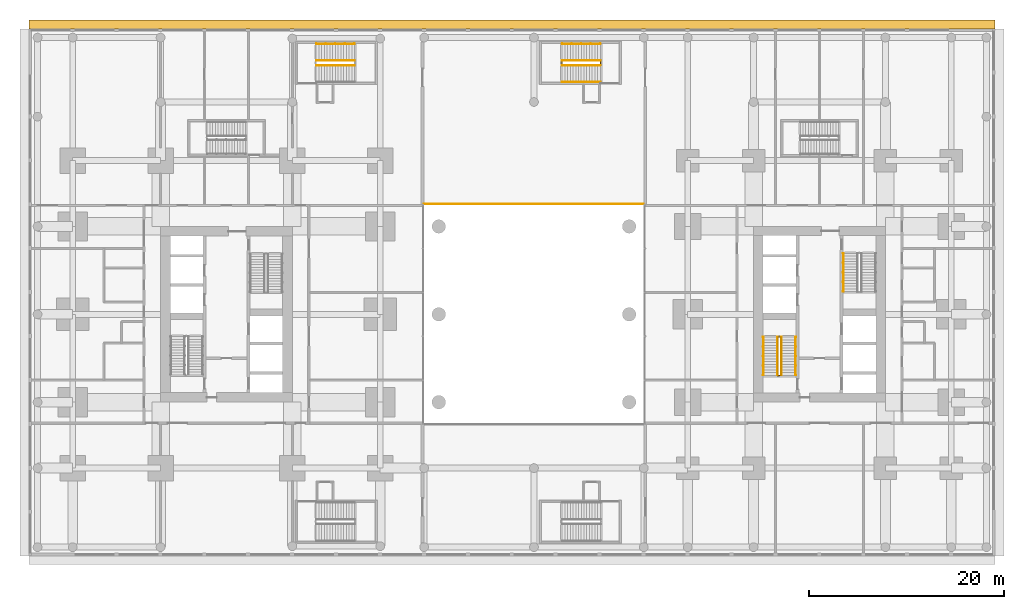
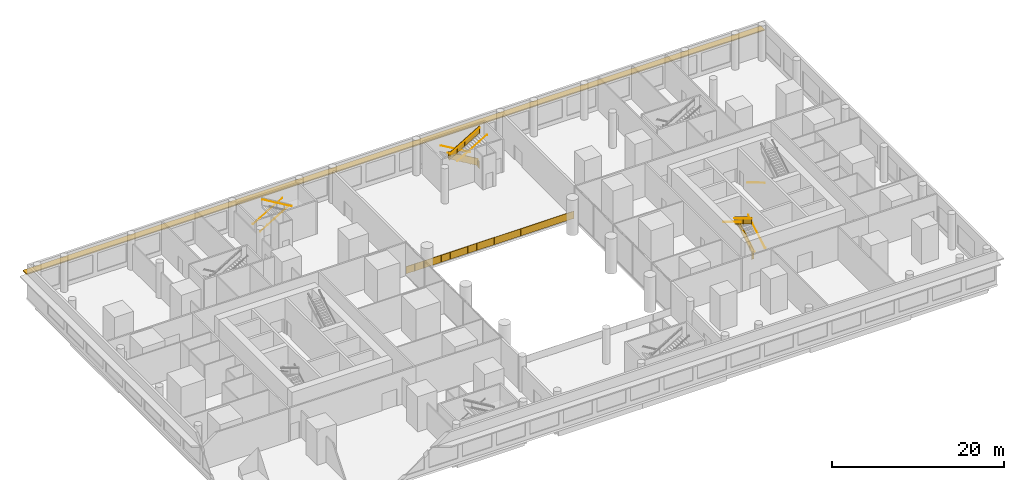
# One storey, part 20 of 21: 15 railings, 1 shading device.
"""IFC4 building model written with IfcOpenShell, lengths in metres."""

from ifc_helpers import new_model, si_unit, direction, frame, origin, origin_2d, place, context, subcontext, project, spatial, polyline, rectangle, circle, outline, extrude, material, layer, layer_set, type_object, element, save


model = new_model("IFC4")

# Units and contexts
model_context = context("Model", 3, precision=1e-05, world=origin(), true_north=direction((0.0, 1.0)))
body_context = subcontext(model_context, "Body", "Model", "MODEL_VIEW")
ifc_project = project(units=[si_unit("LENGTHUNIT", "METRE"), si_unit("AREAUNIT", "SQUARE_METRE"), si_unit("VOLUMEUNIT", "CUBIC_METRE"), si_unit("PLANEANGLEUNIT", "RADIAN"), si_unit("MASSUNIT", "GRAM", prefix="KILO")], contexts=[model_context])

# Site, building, storey
site_placement = place(None, origin())
site = spatial("IfcSite", under=ifc_project, at=site_placement, CompositionType="ELEMENT")
building_placement = place(site_placement, origin())
building = spatial("IfcBuilding", under=site, at=building_placement, Name="Namib Vertical Campus", CompositionType="ELEMENT")
storey_placement = place(building_placement, frame((0.0, 0.0, 6.0)))
storey = spatial("IfcBuildingStorey", under=building, at=storey_placement, Name="L01", CompositionType="ELEMENT", Elevation=6.0)

# Railings
ifc_material_1 = material(Name="Toughened glass balustrade", Category="glass")
railing_type_1 = type_object("IfcRailingType", Name="Edge guard 1100", PredefinedType="GUARDRAIL", material=ifc_material_1)
railing_1_placement = place(storey_placement, frame((40.5, 31.550048828125, 0.0)))
element("IfcRailing", 1, at=railing_1_placement, inside=storey, type_object=railing_type_1, Name="Atrium edge guard GR2 L01 N", PredefinedType="GUARDRAIL", context=body_context, shape_type="SweptSolid", body=[
    extrude(circle(Radius=0.02392578125, at=origin_2d()), frame((0.0, 0.0, 1.076171875), z_axis=(1.0, 0.0, 0.0), x_axis=(0.0, 1.0, 0.0)), (0.0, 0.0, 1.0), 22.5),
    extrude(outline(polyline([(0.02099609375, 0.050048828125), (22.47900390625, 0.050048828125), (22.47900390625, 1.052001953125), (0.02099609375, 1.052001953125), (0.02099609375, 0.050048828125)])), frame((0.0, 0.0107421875, 0.0), z_axis=(0.0, -1.0, 0.0), x_axis=(1.0, 0.0, 0.0)), (0.0, 0.0, 1.0), 0.021484375),
    extrude(circle(Radius=0.02099609375, at=origin_2d()), origin(), (0.0, 0.0, 1.0), 1.052001953125),
    extrude(circle(Radius=0.02099609375, at=origin_2d()), frame((1.184326171875, 0.0, 0.0)), (0.0, 0.0, 1.0), 1.052001953125),
    extrude(circle(Radius=0.02099609375, at=origin_2d()), frame((2.368408203125, 0.0, 0.0)), (0.0, 0.0, 1.0), 1.052001953125),
    extrude(circle(Radius=0.02099609375, at=origin_2d()), frame((3.552734375, 0.0, 0.0)), (0.0, 0.0, 1.0), 1.052001953125),
    extrude(circle(Radius=0.02099609375, at=origin_2d()), frame((4.73681640625, 0.0, 0.0)), (0.0, 0.0, 1.0), 1.052001953125),
    extrude(circle(Radius=0.02099609375, at=origin_2d()), frame((5.921142578125, 0.0, 0.0)), (0.0, 0.0, 1.0), 1.052001953125),
    extrude(circle(Radius=0.02099609375, at=origin_2d()), frame((7.105224609375, 0.0, 0.0)), (0.0, 0.0, 1.0), 1.052001953125),
    extrude(circle(Radius=0.02099609375, at=origin_2d()), frame((8.28955078125, 0.0, 0.0)), (0.0, 0.0, 1.0), 1.052001953125),
    extrude(circle(Radius=0.02099609375, at=origin_2d()), frame((9.4736328125, 0.0, 0.0)), (0.0, 0.0, 1.0), 1.052001953125),
    extrude(circle(Radius=0.02099609375, at=origin_2d()), frame((10.657958984375, 0.0, 0.0)), (0.0, 0.0, 1.0), 1.052001953125),
    extrude(circle(Radius=0.02099609375, at=origin_2d()), frame((11.842041015625, 0.0, 0.0)), (0.0, 0.0, 1.0), 1.052001953125),
    extrude(circle(Radius=0.02099609375, at=origin_2d()), frame((13.0263671875, 0.0, 0.0)), (0.0, 0.0, 1.0), 1.052001953125),
    extrude(circle(Radius=0.02099609375, at=origin_2d()), frame((14.21044921875, 0.0, 0.0)), (0.0, 0.0, 1.0), 1.052001953125),
    extrude(circle(Radius=0.02099609375, at=origin_2d()), frame((15.394775390625, 0.0, 0.0)), (0.0, 0.0, 1.0), 1.052001953125),
    extrude(circle(Radius=0.02099609375, at=origin_2d()), frame((16.578857421875, 0.0, 0.0)), (0.0, 0.0, 1.0), 1.052001953125),
    extrude(circle(Radius=0.02099609375, at=origin_2d()), frame((17.76318359375, 0.0, 0.0)), (0.0, 0.0, 1.0), 1.052001953125),
    extrude(circle(Radius=0.02099609375, at=origin_2d()), frame((18.947265625, 0.0, 0.0)), (0.0, 0.0, 1.0), 1.052001953125),
    extrude(circle(Radius=0.02099609375, at=origin_2d()), frame((20.131591796875, 0.0, 0.0)), (0.0, 0.0, 1.0), 1.052001953125),
    extrude(circle(Radius=0.02099609375, at=origin_2d()), frame((21.315673828125, 0.0, 0.0)), (0.0, 0.0, 1.0), 1.052001953125),
    extrude(circle(Radius=0.02099609375, at=origin_2d()), frame((22.5, 0.0, 0.0)), (0.0, 0.0, 1.0), 1.052001953125),
])
ifc_material_2 = material(Name="Steel handrail", Category="steel")
railing_type_2 = type_object("IfcRailingType", Name="Handrail 900", PredefinedType="HANDRAIL", material=ifc_material_2)
railing_2_placement = place(storey_placement, frame((78.550048828125, 14.0, 0.166748046875)))
element("IfcRailing", 2, at=railing_2_placement, inside=storey, type_object=railing_type_2, Name="Handrail HR1 B-S1 L01 1", PredefinedType="HANDRAIL", context=body_context, shape_type="SweptSolid", body=[
    extrude(circle(Radius=0.02392578125, at=origin_2d()), frame((0.0, 0.0, 0.8759765625), z_axis=(0.0, 0.859296244711, 0.511478214419), x_axis=(-1.0, 0.0, 0.0)), (0.0, 0.0, 1.0), 4.561767578125),
    extrude(circle(Radius=0.008056640625, at=origin_2d()), frame((0.0, 0.0, 0.8759765625), z_axis=(1.0, 0.0, 0.0), x_axis=(0.0, 0.0, 1.0)), (0.0, 0.0, 1.0), 0.050048828125),
    extrude(circle(Radius=0.008056640625, at=origin_2d()), frame((0.0, 0.97998046875, 1.459228515625), z_axis=(1.0, 0.0, 0.0), x_axis=(0.0, 0.0, 1.0)), (0.0, 0.0, 1.0), 0.050048828125),
    extrude(circle(Radius=0.008056640625, at=origin_2d()), frame((0.0, 1.9599609375, 2.04248046875), z_axis=(1.0, 0.0, 0.0), x_axis=(0.0, 0.0, 1.0)), (0.0, 0.0, 1.0), 0.050048828125),
    extrude(circle(Radius=0.008056640625, at=origin_2d()), frame((0.0, 2.93994140625, 2.625732421875), z_axis=(1.0, 0.0, 0.0), x_axis=(0.0, 0.0, 1.0)), (0.0, 0.0, 1.0), 0.050048828125),
    extrude(circle(Radius=0.008056640625, at=origin_2d()), frame((0.0, 3.919921875, 3.208984375), z_axis=(1.0, 0.0, 0.0), x_axis=(0.0, 0.0, 1.0)), (0.0, 0.0, 1.0), 0.050048828125),
])
railing_3_placement = place(storey_placement, frame((75.25, 17.919921875, 2.666748046875)))
element("IfcRailing", 3, at=railing_3_placement, inside=storey, type_object=railing_type_2, Name="Handrail HR1 B-S1 L01 2", PredefinedType="HANDRAIL", context=body_context, shape_type="SweptSolid", body=[
    extrude(circle(Radius=0.02392578125, at=origin_2d()), frame((0.0, 0.0, 0.8759765625), z_axis=(0.0, -0.859296244711, 0.511478214419), x_axis=(1.0, 0.0, 0.0)), (0.0, 0.0, 1.0), 4.561767578125),
    extrude(circle(Radius=0.008056640625, at=origin_2d()), frame((0.0, 0.0, 0.8759765625), z_axis=(-1.0, 0.0, 0.0), x_axis=(0.0, 0.0, 1.0)), (0.0, 0.0, 1.0), 0.050048828125),
    extrude(circle(Radius=0.008056640625, at=origin_2d()), frame((0.0, -0.97998046875, 1.459228515625), z_axis=(-1.0, 0.0, 0.0), x_axis=(0.0, 0.0, 1.0)), (0.0, 0.0, 1.0), 0.050048828125),
    extrude(circle(Radius=0.008056640625, at=origin_2d()), frame((0.0, -1.9599609375, 2.04248046875), z_axis=(-1.0, 0.0, 0.0), x_axis=(0.0, 0.0, 1.0)), (0.0, 0.0, 1.0), 0.050048828125),
    extrude(circle(Radius=0.008056640625, at=origin_2d()), frame((0.0, -2.93994140625, 2.625732421875), z_axis=(-1.0, 0.0, 0.0), x_axis=(0.0, 0.0, 1.0)), (0.0, 0.0, 1.0), 0.050048828125),
    extrude(circle(Radius=0.008056640625, at=origin_2d()), frame((0.0, -3.919921875, 3.208984375), z_axis=(-1.0, 0.0, 0.0), x_axis=(0.0, 0.0, 1.0)), (0.0, 0.0, 1.0), 0.050048828125),
])
railing_4_placement = place(storey_placement, frame((77.10009765625, 14.0, 0.166748046875)))
element("IfcRailing", 4, at=railing_4_placement, inside=storey, type_object=railing_type_2, Name="Handrail HR1 B-S1 L01 1 at the well", PredefinedType="HANDRAIL", context=body_context, shape_type="SweptSolid", body=[
    extrude(circle(Radius=0.02392578125, at=origin_2d()), frame((0.0, 0.0, 0.8759765625), z_axis=(0.0, 0.859296244711, 0.511478214419), x_axis=(-1.0, 0.0, 0.0)), (0.0, 0.0, 1.0), 4.561767578125),
    extrude(circle(Radius=0.008056640625, at=origin_2d()), frame((0.0, 0.0, 0.8759765625), z_axis=(-1.0, 0.0, 0.0), x_axis=(0.0, 0.0, 1.0)), (0.0, 0.0, 1.0), 0.0400390625),
    extrude(circle(Radius=0.008056640625, at=origin_2d()), frame((0.0, 0.97998046875, 1.459228515625), z_axis=(-1.0, 0.0, 0.0), x_axis=(0.0, 0.0, 1.0)), (0.0, 0.0, 1.0), 0.0400390625),
    extrude(circle(Radius=0.008056640625, at=origin_2d()), frame((0.0, 1.9599609375, 2.04248046875), z_axis=(-1.0, 0.0, 0.0), x_axis=(0.0, 0.0, 1.0)), (0.0, 0.0, 1.0), 0.0400390625),
    extrude(circle(Radius=0.008056640625, at=origin_2d()), frame((0.0, 2.93994140625, 2.625732421875), z_axis=(-1.0, 0.0, 0.0), x_axis=(0.0, 0.0, 1.0)), (0.0, 0.0, 1.0), 0.0400390625),
    extrude(circle(Radius=0.008056640625, at=origin_2d()), frame((0.0, 3.919921875, 3.208984375), z_axis=(-1.0, 0.0, 0.0), x_axis=(0.0, 0.0, 1.0)), (0.0, 0.0, 1.0), 0.0400390625),
])
railing_5_placement = place(storey_placement, frame((76.699951171875, 17.919921875, 2.666748046875)))
element("IfcRailing", 5, at=railing_5_placement, inside=storey, type_object=railing_type_2, Name="Handrail HR1 B-S1 L01 2 at the well", PredefinedType="HANDRAIL", context=body_context, shape_type="SweptSolid", body=[
    extrude(circle(Radius=0.02392578125, at=origin_2d()), frame((0.0, 0.0, 0.8759765625), z_axis=(0.0, -0.859296244711, 0.511478214419), x_axis=(1.0, 0.0, 0.0)), (0.0, 0.0, 1.0), 4.561767578125),
    extrude(circle(Radius=0.008056640625, at=origin_2d()), frame((0.0, 0.0, 0.8759765625), z_axis=(1.0, 0.0, 0.0), x_axis=(0.0, 0.0, 1.0)), (0.0, 0.0, 1.0), 0.0400390625),
    extrude(circle(Radius=0.008056640625, at=origin_2d()), frame((0.0, -0.97998046875, 1.459228515625), z_axis=(1.0, 0.0, 0.0), x_axis=(0.0, 0.0, 1.0)), (0.0, 0.0, 1.0), 0.0400390625),
    extrude(circle(Radius=0.008056640625, at=origin_2d()), frame((0.0, -1.9599609375, 2.04248046875), z_axis=(1.0, 0.0, 0.0), x_axis=(0.0, 0.0, 1.0)), (0.0, 0.0, 1.0), 0.0400390625),
    extrude(circle(Radius=0.008056640625, at=origin_2d()), frame((0.0, -2.93994140625, 2.625732421875), z_axis=(1.0, 0.0, 0.0), x_axis=(0.0, 0.0, 1.0)), (0.0, 0.0, 1.0), 0.0400390625),
    extrude(circle(Radius=0.008056640625, at=origin_2d()), frame((0.0, -3.919921875, 3.208984375), z_axis=(1.0, 0.0, 0.0), x_axis=(0.0, 0.0, 1.0)), (0.0, 0.0, 1.0), 0.0400390625),
])
railing_6_placement = place(storey_placement, frame((83.449951171875, 26.5, 0.166748046875)))
element("IfcRailing", 6, at=railing_6_placement, inside=storey, type_object=railing_type_2, Name="Handrail HR1 B-S2 L01 1", PredefinedType="HANDRAIL", context=body_context, shape_type="SweptSolid", body=[
    extrude(circle(Radius=0.02392578125, at=origin_2d()), frame((0.0, 0.0, 0.8759765625), z_axis=(0.0, -0.859296244711, 0.511478214419), x_axis=(1.0, 0.0, 0.0)), (0.0, 0.0, 1.0), 4.561767578125),
    extrude(circle(Radius=0.008056640625, at=origin_2d()), frame((0.0, 0.0, 0.8759765625), z_axis=(-1.0, 0.0, 0.0), x_axis=(0.0, 0.0, 1.0)), (0.0, 0.0, 1.0), 0.050048828125),
    extrude(circle(Radius=0.008056640625, at=origin_2d()), frame((0.0, -0.97998046875, 1.459228515625), z_axis=(-1.0, 0.0, 0.0), x_axis=(0.0, 0.0, 1.0)), (0.0, 0.0, 1.0), 0.050048828125),
    extrude(circle(Radius=0.008056640625, at=origin_2d()), frame((0.0, -1.9599609375, 2.04248046875), z_axis=(-1.0, 0.0, 0.0), x_axis=(0.0, 0.0, 1.0)), (0.0, 0.0, 1.0), 0.050048828125),
    extrude(circle(Radius=0.008056640625, at=origin_2d()), frame((0.0, -2.93994140625, 2.625732421875), z_axis=(-1.0, 0.0, 0.0), x_axis=(0.0, 0.0, 1.0)), (0.0, 0.0, 1.0), 0.050048828125),
    extrude(circle(Radius=0.008056640625, at=origin_2d()), frame((0.0, -3.919921875, 3.208984375), z_axis=(-1.0, 0.0, 0.0), x_axis=(0.0, 0.0, 1.0)), (0.0, 0.0, 1.0), 0.050048828125),
])
railing_7_placement = place(storey_placement, frame((29.446044921875, 47.949951171875, 0.166748046875)))
element("IfcRailing", 7, at=railing_7_placement, inside=storey, type_object=railing_type_2, Name="Handrail HR1 P-S1 L01 1", PredefinedType="HANDRAIL", context=body_context, shape_type="SweptSolid", body=[
    extrude(circle(Radius=0.02392578125, at=origin_2d()), frame((0.0, 0.0, 0.8759765625), z_axis=(0.859310244771, 0.0, 0.511454693235), x_axis=(0.0, 1.0, 0.0)), (0.0, 0.0, 1.0), 4.56201171875),
    extrude(circle(Radius=0.008056640625, at=origin_2d()), frame((0.0, 0.0, 0.8759765625), z_axis=(0.0, 1.0, 0.0), x_axis=(0.0, 0.0, 1.0)), (0.0, 0.0, 1.0), 0.050048828125),
    extrude(circle(Radius=0.008056640625, at=origin_2d()), frame((0.97998046875, 0.0, 1.459228515625), z_axis=(0.0, 1.0, 0.0), x_axis=(0.0, 0.0, 1.0)), (0.0, 0.0, 1.0), 0.050048828125),
    extrude(circle(Radius=0.008056640625, at=origin_2d()), frame((1.9599609375, 0.0, 2.04248046875), z_axis=(0.0, 1.0, 0.0), x_axis=(0.0, 0.0, 1.0)), (0.0, 0.0, 1.0), 0.050048828125),
    extrude(circle(Radius=0.008056640625, at=origin_2d()), frame((2.940185546875, 0.0, 2.625732421875), z_axis=(0.0, 1.0, 0.0), x_axis=(0.0, 0.0, 1.0)), (0.0, 0.0, 1.0), 0.050048828125),
    extrude(circle(Radius=0.008056640625, at=origin_2d()), frame((3.920166015625, 0.0, 3.208984375), z_axis=(0.0, 1.0, 0.0), x_axis=(0.0, 0.0, 1.0)), (0.0, 0.0, 1.0), 0.050048828125),
])
railing_8_placement = place(storey_placement, frame((29.446044921875, 46.25, 0.166748046875)))
element("IfcRailing", 8, at=railing_8_placement, inside=storey, type_object=railing_type_2, Name="Handrail HR1 P-S1 L01 1 at the well", PredefinedType="HANDRAIL", context=body_context, shape_type="SweptSolid", body=[
    extrude(circle(Radius=0.02392578125, at=origin_2d()), frame((0.0, 0.0, 0.8759765625), z_axis=(0.859310244771, 0.0, 0.511454693235), x_axis=(0.0, 1.0, 0.0)), (0.0, 0.0, 1.0), 4.56201171875),
    extrude(circle(Radius=0.008056640625, at=origin_2d()), frame((0.0, 0.0, 0.8759765625), z_axis=(0.0, -1.0, 0.0), x_axis=(0.0, 0.0, 1.0)), (0.0, 0.0, 1.0), 0.0400390625),
    extrude(circle(Radius=0.008056640625, at=origin_2d()), frame((0.97998046875, 0.0, 1.459228515625), z_axis=(0.0, -1.0, 0.0), x_axis=(0.0, 0.0, 1.0)), (0.0, 0.0, 1.0), 0.0400390625),
    extrude(circle(Radius=0.008056640625, at=origin_2d()), frame((1.9599609375, 0.0, 2.04248046875), z_axis=(0.0, -1.0, 0.0), x_axis=(0.0, 0.0, 1.0)), (0.0, 0.0, 1.0), 0.0400390625),
    extrude(circle(Radius=0.008056640625, at=origin_2d()), frame((2.940185546875, 0.0, 2.625732421875), z_axis=(0.0, -1.0, 0.0), x_axis=(0.0, 0.0, 1.0)), (0.0, 0.0, 1.0), 0.0400390625),
    extrude(circle(Radius=0.008056640625, at=origin_2d()), frame((3.920166015625, 0.0, 3.208984375), z_axis=(0.0, -1.0, 0.0), x_axis=(0.0, 0.0, 1.0)), (0.0, 0.0, 1.0), 0.0400390625),
])
railing_9_placement = place(storey_placement, frame((33.3662109375, 45.75, 2.666748046875)))
element("IfcRailing", 9, at=railing_9_placement, inside=storey, type_object=railing_type_2, Name="Handrail HR1 P-S1 L01 2 at the well", PredefinedType="HANDRAIL", context=body_context, shape_type="SweptSolid", body=[
    extrude(circle(Radius=0.02392578125, at=origin_2d()), frame((0.0, 0.0, 0.8759765625), z_axis=(-0.859310244771, 0.0, 0.511454693235), x_axis=(0.0, -1.0, 0.0)), (0.0, 0.0, 1.0), 4.56201171875),
    extrude(circle(Radius=0.008056640625, at=origin_2d()), frame((0.0, 0.0, 0.8759765625), z_axis=(0.0, 1.0, 0.0), x_axis=(0.0, 0.0, 1.0)), (0.0, 0.0, 1.0), 0.0400390625),
    extrude(circle(Radius=0.008056640625, at=origin_2d()), frame((-0.97998046875, 0.0, 1.459228515625), z_axis=(0.0, 1.0, 0.0), x_axis=(0.0, 0.0, 1.0)), (0.0, 0.0, 1.0), 0.0400390625),
    extrude(circle(Radius=0.008056640625, at=origin_2d()), frame((-1.9599609375, 0.0, 2.04248046875), z_axis=(0.0, 1.0, 0.0), x_axis=(0.0, 0.0, 1.0)), (0.0, 0.0, 1.0), 0.0400390625),
    extrude(circle(Radius=0.008056640625, at=origin_2d()), frame((-2.940185546875, 0.0, 2.625732421875), z_axis=(0.0, 1.0, 0.0), x_axis=(0.0, 0.0, 1.0)), (0.0, 0.0, 1.0), 0.0400390625),
    extrude(circle(Radius=0.008056640625, at=origin_2d()), frame((-3.920166015625, 0.0, 3.208984375), z_axis=(0.0, 1.0, 0.0), x_axis=(0.0, 0.0, 1.0)), (0.0, 0.0, 1.0), 0.0400390625),
])
railing_10_placement = place(storey_placement, frame((58.553955078125, 47.949951171875, 0.166748046875)))
element("IfcRailing", 10, at=railing_10_placement, inside=storey, type_object=railing_type_2, Name="Handrail HR1 P-S3 L01 1", PredefinedType="HANDRAIL", context=body_context, shape_type="SweptSolid", body=[
    extrude(circle(Radius=0.02392578125, at=origin_2d()), frame((0.0, 0.0, 0.8759765625), z_axis=(-0.859310244771, 0.0, 0.511454693235), x_axis=(0.0, -1.0, 0.0)), (0.0, 0.0, 1.0), 4.56201171875),
    extrude(circle(Radius=0.008056640625, at=origin_2d()), frame((0.0, 0.0, 0.8759765625), z_axis=(0.0, 1.0, 0.0), x_axis=(0.0, 0.0, 1.0)), (0.0, 0.0, 1.0), 0.050048828125),
    extrude(circle(Radius=0.008056640625, at=origin_2d()), frame((-0.97998046875, 0.0, 1.459228515625), z_axis=(0.0, 1.0, 0.0), x_axis=(0.0, 0.0, 1.0)), (0.0, 0.0, 1.0), 0.050048828125),
    extrude(circle(Radius=0.008056640625, at=origin_2d()), frame((-1.9599609375, 0.0, 2.04248046875), z_axis=(0.0, 1.0, 0.0), x_axis=(0.0, 0.0, 1.0)), (0.0, 0.0, 1.0), 0.050048828125),
    extrude(circle(Radius=0.008056640625, at=origin_2d()), frame((-2.940185546875, 0.0, 2.625732421875), z_axis=(0.0, 1.0, 0.0), x_axis=(0.0, 0.0, 1.0)), (0.0, 0.0, 1.0), 0.050048828125),
    extrude(circle(Radius=0.008056640625, at=origin_2d()), frame((-3.920166015625, 0.0, 3.208984375), z_axis=(0.0, 1.0, 0.0), x_axis=(0.0, 0.0, 1.0)), (0.0, 0.0, 1.0), 0.050048828125),
])
railing_11_placement = place(storey_placement, frame((54.6337890625, 44.050048828125, 2.666748046875)))
element("IfcRailing", 11, at=railing_11_placement, inside=storey, type_object=railing_type_2, Name="Handrail HR1 P-S3 L01 2", PredefinedType="HANDRAIL", context=body_context, shape_type="SweptSolid", body=[
    extrude(circle(Radius=0.02392578125, at=origin_2d()), frame((0.0, 0.0, 0.8759765625), z_axis=(0.859310244771, 0.0, 0.511454693235), x_axis=(0.0, 1.0, 0.0)), (0.0, 0.0, 1.0), 4.56201171875),
    extrude(circle(Radius=0.008056640625, at=origin_2d()), frame((0.0, 0.0, 0.8759765625), z_axis=(0.0, -1.0, 0.0), x_axis=(0.0, 0.0, 1.0)), (0.0, 0.0, 1.0), 0.050048828125),
    extrude(circle(Radius=0.008056640625, at=origin_2d()), frame((0.97998046875, 0.0, 1.459228515625), z_axis=(0.0, -1.0, 0.0), x_axis=(0.0, 0.0, 1.0)), (0.0, 0.0, 1.0), 0.050048828125),
    extrude(circle(Radius=0.008056640625, at=origin_2d()), frame((1.9599609375, 0.0, 2.04248046875), z_axis=(0.0, -1.0, 0.0), x_axis=(0.0, 0.0, 1.0)), (0.0, 0.0, 1.0), 0.050048828125),
    extrude(circle(Radius=0.008056640625, at=origin_2d()), frame((2.940185546875, 0.0, 2.625732421875), z_axis=(0.0, -1.0, 0.0), x_axis=(0.0, 0.0, 1.0)), (0.0, 0.0, 1.0), 0.050048828125),
    extrude(circle(Radius=0.008056640625, at=origin_2d()), frame((3.920166015625, 0.0, 3.208984375), z_axis=(0.0, -1.0, 0.0), x_axis=(0.0, 0.0, 1.0)), (0.0, 0.0, 1.0), 0.050048828125),
])
railing_12_placement = place(storey_placement, frame((58.553955078125, 46.25, 0.166748046875)))
element("IfcRailing", 12, at=railing_12_placement, inside=storey, type_object=railing_type_2, Name="Handrail HR1 P-S3 L01 1 at the well", PredefinedType="HANDRAIL", context=body_context, shape_type="SweptSolid", body=[
    extrude(circle(Radius=0.02392578125, at=origin_2d()), frame((0.0, 0.0, 0.8759765625), z_axis=(-0.859310244771, 0.0, 0.511454693235), x_axis=(0.0, -1.0, 0.0)), (0.0, 0.0, 1.0), 4.56201171875),
    extrude(circle(Radius=0.008056640625, at=origin_2d()), frame((0.0, 0.0, 0.8759765625), z_axis=(0.0, -1.0, 0.0), x_axis=(0.0, 0.0, 1.0)), (0.0, 0.0, 1.0), 0.0400390625),
    extrude(circle(Radius=0.008056640625, at=origin_2d()), frame((-0.97998046875, 0.0, 1.459228515625), z_axis=(0.0, -1.0, 0.0), x_axis=(0.0, 0.0, 1.0)), (0.0, 0.0, 1.0), 0.0400390625),
    extrude(circle(Radius=0.008056640625, at=origin_2d()), frame((-1.9599609375, 0.0, 2.04248046875), z_axis=(0.0, -1.0, 0.0), x_axis=(0.0, 0.0, 1.0)), (0.0, 0.0, 1.0), 0.0400390625),
    extrude(circle(Radius=0.008056640625, at=origin_2d()), frame((-2.940185546875, 0.0, 2.625732421875), z_axis=(0.0, -1.0, 0.0), x_axis=(0.0, 0.0, 1.0)), (0.0, 0.0, 1.0), 0.0400390625),
    extrude(circle(Radius=0.008056640625, at=origin_2d()), frame((-3.920166015625, 0.0, 3.208984375), z_axis=(0.0, -1.0, 0.0), x_axis=(0.0, 0.0, 1.0)), (0.0, 0.0, 1.0), 0.0400390625),
])
railing_13_placement = place(storey_placement, frame((54.6337890625, 45.75, 2.666748046875)))
element("IfcRailing", 13, at=railing_13_placement, inside=storey, type_object=railing_type_2, Name="Handrail HR1 P-S3 L01 2 at the well", PredefinedType="HANDRAIL", context=body_context, shape_type="SweptSolid", body=[
    extrude(circle(Radius=0.02392578125, at=origin_2d()), frame((0.0, 0.0, 0.8759765625), z_axis=(0.859310244771, 0.0, 0.511454693235), x_axis=(0.0, 1.0, 0.0)), (0.0, 0.0, 1.0), 4.56201171875),
    extrude(circle(Radius=0.008056640625, at=origin_2d()), frame((0.0, 0.0, 0.8759765625), z_axis=(0.0, 1.0, 0.0), x_axis=(0.0, 0.0, 1.0)), (0.0, 0.0, 1.0), 0.0400390625),
    extrude(circle(Radius=0.008056640625, at=origin_2d()), frame((0.97998046875, 0.0, 1.459228515625), z_axis=(0.0, 1.0, 0.0), x_axis=(0.0, 0.0, 1.0)), (0.0, 0.0, 1.0), 0.0400390625),
    extrude(circle(Radius=0.008056640625, at=origin_2d()), frame((1.9599609375, 0.0, 2.04248046875), z_axis=(0.0, 1.0, 0.0), x_axis=(0.0, 0.0, 1.0)), (0.0, 0.0, 1.0), 0.0400390625),
    extrude(circle(Radius=0.008056640625, at=origin_2d()), frame((2.940185546875, 0.0, 2.625732421875), z_axis=(0.0, 1.0, 0.0), x_axis=(0.0, 0.0, 1.0)), (0.0, 0.0, 1.0), 0.0400390625),
    extrude(circle(Radius=0.008056640625, at=origin_2d()), frame((3.920166015625, 0.0, 3.208984375), z_axis=(0.0, 1.0, 0.0), x_axis=(0.0, 0.0, 1.0)), (0.0, 0.0, 1.0), 0.0400390625),
])
ifc_material_3 = material(Name="Steel balustrade", Category="steel")
railing_type_3 = type_object("IfcRailingType", Name="Stair guard 1100", PredefinedType="GUARDRAIL", material=ifc_material_3)
railing_14_placement = place(storey_placement, frame((76.75, 14.0, 0.0)))
element("IfcRailing", 14, at=railing_14_placement, inside=storey, type_object=railing_type_3, Name="Stair guard GR1 B-S1 L01", PredefinedType="GUARDRAIL", context=body_context, shape_type="SweptSolid", body=[
    extrude(circle(Radius=0.02392578125, at=origin_2d()), frame((0.0, 0.0, 1.076171875), z_axis=(1.0, 0.0, 0.0), x_axis=(0.0, 1.0, 0.0)), (0.0, 0.0, 1.0), 0.300048828125),
    extrude(outline(polyline([(0.02099609375, 0.050048828125), (0.279052734375, 0.050048828125), (0.279052734375, 1.052001953125), (0.02099609375, 1.052001953125), (0.02099609375, 0.050048828125)])), frame((0.0, 0.010009765625, 0.0), z_axis=(0.0, -1.0, 0.0), x_axis=(1.0, 0.0, 0.0)), (0.0, 0.0, 1.0), 0.02001953125),
    extrude(circle(Radius=0.02392578125, at=origin_2d()), frame((0.300048828125, 0.0, 1.076171875), z_axis=(0.0, 0.0, 1.0), x_axis=(1.0, 0.0, 0.0)), (0.0, 0.0, 1.0), 0.166748046875),
    extrude(circle(Radius=0.02392578125, at=origin_2d()), frame((0.300048828125, 0.0, 1.24267578125), z_axis=(0.0, 0.859296244711, 0.511478214419), x_axis=(-1.0, 0.0, 0.0)), (0.0, 0.0, 1.0), 4.561767578125),
    extrude(outline(polyline([(0.02099609375, 0.0625), (3.89892578125, 2.370849609375), (3.89892578125, 3.372802734375), (0.02099609375, 1.064453125), (0.02099609375, 0.0625)])), frame((0.2900390625, 0.0, 0.166748046875), z_axis=(1.0, 0.0, 0.0), x_axis=(0.0, 1.0, 0.0)), (0.0, 0.0, 1.0), 0.02001953125),
    extrude(circle(Radius=0.02392578125, at=origin_2d()), frame((0.300048828125, 3.919921875, 3.576171875), z_axis=(-1.0, 0.0, 0.0), x_axis=(0.0, -1.0, 0.0)), (0.0, 0.0, 1.0), 0.300048828125),
    extrude(outline(polyline([(0.02099609375, 0.050048828125), (0.279052734375, 0.050048828125), (0.279052734375, 1.052001953125), (0.02099609375, 1.052001953125), (0.02099609375, 0.050048828125)])), frame((0.300048828125, 3.909912109375, 2.5), z_axis=(0.0, 1.0, 0.0), x_axis=(-1.0, 0.0, 0.0)), (0.0, 0.0, 1.0), 0.02001953125),
    extrude(circle(Radius=0.02392578125, at=origin_2d()), frame((0.0, 3.919921875, 3.576171875), z_axis=(0.0, 0.0, 1.0), x_axis=(1.0, 0.0, 0.0)), (0.0, 0.0, 1.0), 0.166748046875),
    extrude(circle(Radius=0.02392578125, at=origin_2d()), frame((0.0, 3.919921875, 3.74267578125), z_axis=(0.0, -0.859296244711, 0.511478214419), x_axis=(1.0, 0.0, 0.0)), (0.0, 0.0, 1.0), 4.561767578125),
    extrude(outline(polyline([(0.02099609375, 0.0625), (3.89892578125, 2.370849609375), (3.89892578125, 3.372802734375), (0.02099609375, 1.064453125), (0.02099609375, 0.0625)])), frame((0.010009765625, 3.919921875, 2.666748046875), z_axis=(-1.0, 0.0, 0.0), x_axis=(0.0, -1.0, 0.0)), (0.0, 0.0, 1.0), 0.02001953125),
    extrude(circle(Radius=0.02392578125, at=origin_2d()), frame((0.0, 0.0, 6.076171875), z_axis=(0.0, -1.0, 0.0), x_axis=(1.0, 0.0, 0.0)), (0.0, 0.0, 1.0), 0.050048828125),
    extrude(outline(polyline([(0.02099609375, 0.050048828125), (0.029052734375, 0.050048828125), (0.029052734375, 1.052001953125), (0.02099609375, 1.052001953125), (0.02099609375, 0.050048828125)])), frame((0.010009765625, 0.0, 5.0), z_axis=(-1.0, 0.0, 0.0), x_axis=(0.0, -1.0, 0.0)), (0.0, 0.0, 1.0), 0.02001953125),
    extrude(circle(Radius=0.02099609375, at=origin_2d()), origin(), (0.0, 0.0, 1.0), 1.052001953125),
    extrude(circle(Radius=0.02099609375, at=origin_2d()), frame((0.300048828125, 0.0, 0.166748046875)), (0.0, 0.0, 1.0), 1.052001953125),
    extrude(circle(Radius=0.02099609375, at=origin_2d()), frame((0.300048828125, 0.97998046875, 0.666748046875)), (0.0, 0.0, 1.0), 1.13525390625),
    extrude(circle(Radius=0.02099609375, at=origin_2d()), frame((0.300048828125, 1.9599609375, 1.166748046875)), (0.0, 0.0, 1.0), 1.218505859375),
    extrude(circle(Radius=0.02099609375, at=origin_2d()), frame((0.300048828125, 2.93994140625, 1.83349609375)), (0.0, 0.0, 1.0), 1.13525390625),
    extrude(circle(Radius=0.02099609375, at=origin_2d()), frame((0.300048828125, 3.919921875, 2.5)), (0.0, 0.0, 1.0), 1.052001953125),
    extrude(circle(Radius=0.02099609375, at=origin_2d()), frame((0.0, 3.919921875, 2.666748046875)), (0.0, 0.0, 1.0), 1.052001953125),
    extrude(circle(Radius=0.02099609375, at=origin_2d()), frame((0.0, 2.93994140625, 3.166748046875)), (0.0, 0.0, 1.0), 1.13525390625),
    extrude(circle(Radius=0.02099609375, at=origin_2d()), frame((0.0, 1.9599609375, 3.666748046875)), (0.0, 0.0, 1.0), 1.218505859375),
    extrude(circle(Radius=0.02099609375, at=origin_2d()), frame((0.0, 0.97998046875, 4.33349609375)), (0.0, 0.0, 1.0), 1.13525390625),
    extrude(circle(Radius=0.02099609375, at=origin_2d()), frame((0.0, 0.0, 5.0)), (0.0, 0.0, 1.0), 1.052001953125),
    extrude(circle(Radius=0.02099609375, at=origin_2d()), frame((0.0, -0.050048828125, 5.0)), (0.0, 0.0, 1.0), 1.052001953125),
])
railing_15_placement = place(storey_placement, frame((58.553955078125, 45.800048828125, 0.0)))
element("IfcRailing", 15, at=railing_15_placement, inside=storey, type_object=railing_type_3, Name="Stair guard GR1 P-S3 L01", PredefinedType="GUARDRAIL", context=body_context, shape_type="SweptSolid", body=[
    extrude(circle(Radius=0.02392578125, at=origin_2d()), frame((0.0, 0.0, 1.076171875), z_axis=(0.0, 1.0, 0.0), x_axis=(-1.0, 0.0, 0.0)), (0.0, 0.0, 1.0), 0.39990234375),
    extrude(outline(polyline([(0.02099609375, 0.050048828125), (0.37890625, 0.050048828125), (0.37890625, 1.052001953125), (0.02099609375, 1.052001953125), (0.02099609375, 0.050048828125)])), frame((-0.010009765625, 0.0, 0.0), z_axis=(1.0, 0.0, 0.0), x_axis=(0.0, 1.0, 0.0)), (0.0, 0.0, 1.0), 0.02001953125),
    extrude(circle(Radius=0.02392578125, at=origin_2d()), frame((0.0, 0.39990234375, 1.076171875), z_axis=(0.0, 0.0, 1.0), x_axis=(1.0, 0.0, 0.0)), (0.0, 0.0, 1.0), 0.166748046875),
    extrude(circle(Radius=0.02392578125, at=origin_2d()), frame((0.0, 0.39990234375, 1.24267578125), z_axis=(-0.859310244771, 0.0, 0.511454693235), x_axis=(0.0, -1.0, 0.0)), (0.0, 0.0, 1.0), 4.56201171875),
    extrude(outline(polyline([(0.02099609375, 0.0625), (3.899169921875, 2.370849609375), (3.899169921875, 3.372802734375), (0.02099609375, 1.064453125), (0.02099609375, 0.0625)])), frame((0.0, 0.389892578125, 0.166748046875), z_axis=(0.0, 1.0, 0.0), x_axis=(-1.0, 0.0, 0.0)), (0.0, 0.0, 1.0), 0.02001953125),
    extrude(circle(Radius=0.02392578125, at=origin_2d()), frame((-3.920166015625, 0.39990234375, 3.576171875), z_axis=(0.0, -1.0, 0.0), x_axis=(1.0, 0.0, 0.0)), (0.0, 0.0, 1.0), 0.39990234375),
    extrude(outline(polyline([(0.02099609375, 0.050048828125), (0.37890625, 0.050048828125), (0.37890625, 1.052001953125), (0.02099609375, 1.052001953125), (0.02099609375, 0.050048828125)])), frame((-3.91015625, 0.39990234375, 2.5), z_axis=(-1.0, 0.0, 0.0), x_axis=(0.0, -1.0, 0.0)), (0.0, 0.0, 1.0), 0.02001953125),
    extrude(circle(Radius=0.02392578125, at=origin_2d()), frame((-3.920166015625, 0.0, 3.576171875), z_axis=(0.0, 0.0, 1.0), x_axis=(1.0, 0.0, 0.0)), (0.0, 0.0, 1.0), 0.166748046875),
    extrude(circle(Radius=0.02392578125, at=origin_2d()), frame((-3.920166015625, 0.0, 3.74267578125), z_axis=(0.859310244771, 0.0, 0.511454693235), x_axis=(0.0, 1.0, 0.0)), (0.0, 0.0, 1.0), 4.56201171875),
    extrude(outline(polyline([(0.02099609375, 0.0625), (3.899169921875, 2.370849609375), (3.899169921875, 3.372802734375), (0.02099609375, 1.064453125), (0.02099609375, 0.0625)])), frame((-3.920166015625, 0.010009765625, 2.666748046875), z_axis=(0.0, -1.0, 0.0), x_axis=(1.0, 0.0, 0.0)), (0.0, 0.0, 1.0), 0.02001953125),
    extrude(circle(Radius=0.02392578125, at=origin_2d()), frame((0.0, 0.0, 6.076171875), z_axis=(1.0, 0.0, 0.0), x_axis=(0.0, 1.0, 0.0)), (0.0, 0.0, 1.0), 0.050048828125),
    extrude(outline(polyline([(0.02099609375, 0.050048828125), (0.029052734375, 0.050048828125), (0.029052734375, 1.052001953125), (0.02099609375, 1.052001953125), (0.02099609375, 0.050048828125)])), frame((0.0, 0.010009765625, 5.0), z_axis=(0.0, -1.0, 0.0), x_axis=(1.0, 0.0, 0.0)), (0.0, 0.0, 1.0), 0.02001953125),
    extrude(circle(Radius=0.02099609375, at=origin_2d()), origin(), (0.0, 0.0, 1.0), 1.052001953125),
    extrude(circle(Radius=0.02099609375, at=origin_2d()), frame((0.0, 0.39990234375, 0.166748046875)), (0.0, 0.0, 1.0), 1.052001953125),
    extrude(circle(Radius=0.02099609375, at=origin_2d()), frame((-0.97998046875, 0.39990234375, 0.666748046875)), (0.0, 0.0, 1.0), 1.13525390625),
    extrude(circle(Radius=0.02099609375, at=origin_2d()), frame((-1.9599609375, 0.39990234375, 1.33349609375)), (0.0, 0.0, 1.0), 1.052001953125),
    extrude(circle(Radius=0.02099609375, at=origin_2d()), frame((-2.940185546875, 0.39990234375, 1.83349609375)), (0.0, 0.0, 1.0), 1.13525390625),
    extrude(circle(Radius=0.02099609375, at=origin_2d()), frame((-3.920166015625, 0.39990234375, 2.5)), (0.0, 0.0, 1.0), 1.052001953125),
    extrude(circle(Radius=0.02099609375, at=origin_2d()), frame((-3.920166015625, 0.0, 2.666748046875)), (0.0, 0.0, 1.0), 1.052001953125),
    extrude(circle(Radius=0.02099609375, at=origin_2d()), frame((-2.940185546875, 0.0, 3.166748046875)), (0.0, 0.0, 1.0), 1.13525390625),
    extrude(circle(Radius=0.02099609375, at=origin_2d()), frame((-1.9599609375, 0.0, 3.83349609375)), (0.0, 0.0, 1.0), 1.052001953125),
    extrude(circle(Radius=0.02099609375, at=origin_2d()), frame((-0.97998046875, 0.0, 4.33349609375)), (0.0, 0.0, 1.0), 1.13525390625),
    extrude(circle(Radius=0.02099609375, at=origin_2d()), frame((0.0, 0.0, 5.0)), (0.0, 0.0, 1.0), 1.052001953125),
    extrude(circle(Radius=0.02099609375, at=origin_2d()), frame((0.050048828125, 0.0, 5.0)), (0.0, 0.0, 1.0), 1.052001953125),
])

# Shading device
ifc_material_4 = material(Name="Concrete C40/50 precast", Category="concrete")
ifc_layer = layer(ifc_material_4, 0.14990234375)
ifc_layer_set = layer_set([ifc_layer], Name="Concrete C40/50 precast")
shading_device_type = type_object("IfcShadingDeviceType", Name="Sunshade hood 900", PredefinedType="SHUTTER", material=ifc_layer_set)
shading_device_placement = place(storey_placement, frame((49.5, 49.949951171875, 3.199951171875), z_axis=(0.0, 0.0, 1.0), x_axis=(-1.0, 0.0, 0.0)))
element("IfcShadingDevice", 16, at=shading_device_placement, inside=storey, type_object=shading_device_type, Name="Sunshade SH1 L01 3", PredefinedType="SHUTTER", context=body_context, shape_type="SweptSolid", body=[
    extrude(rectangle(XDim=99.0, YDim=0.89990234375, at=origin_2d()), origin(), (0.0, 0.0, 1.0), 0.14990234375),
])

save(model, "model.ifc")
